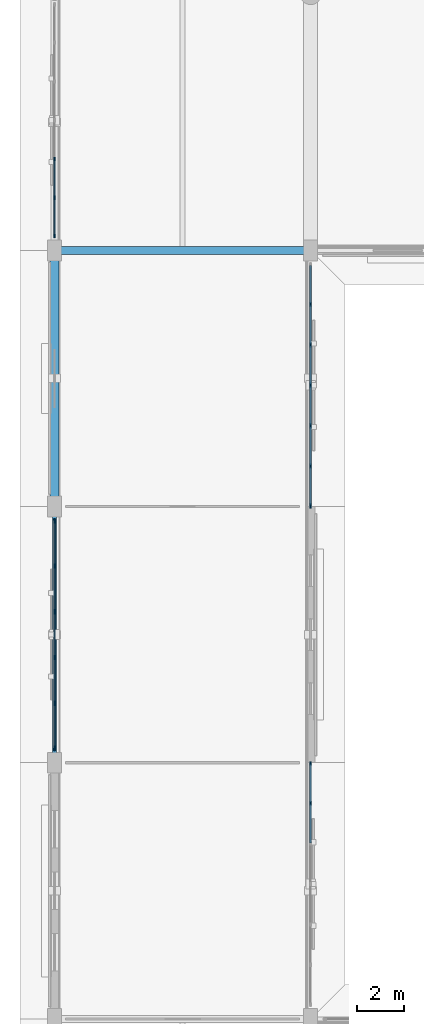
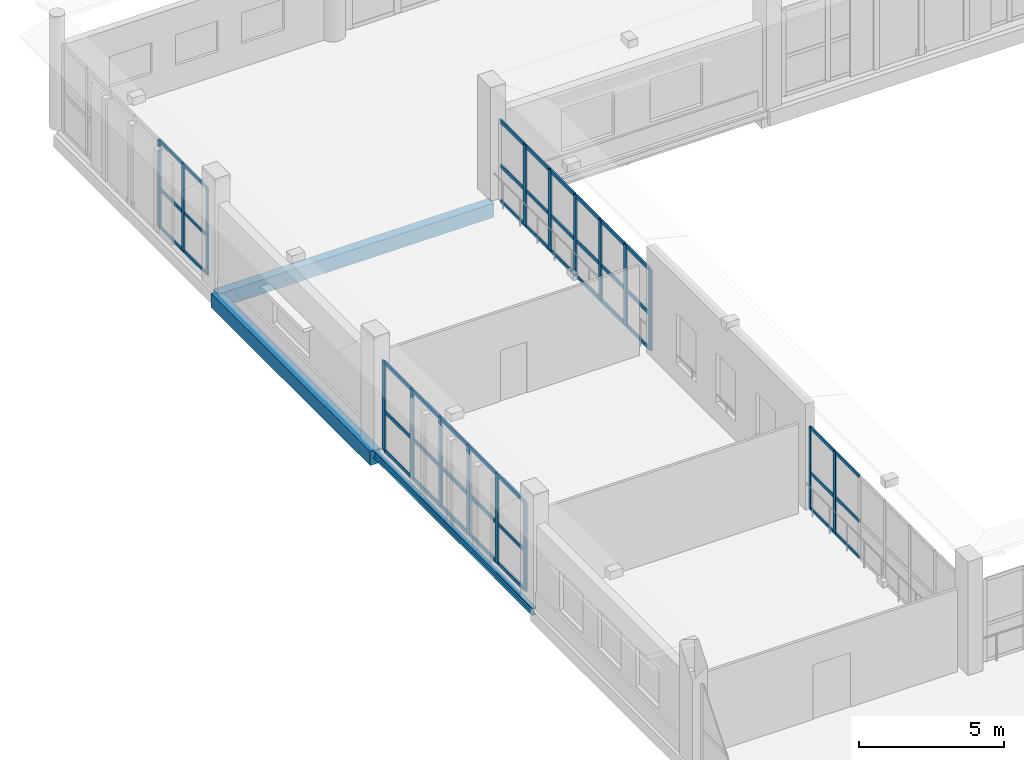
# One storey, part 38 of 143: 62 members, 3 beams, 4 elements without a shape of their own.
"""IFC4 building model written with IfcOpenShell, lengths in metres."""

import ifcopenshell
import ifcopenshell.guid

model = None  # the IFC model being written
_history = None  # IfcOwnerHistory: only IFC2X3 demands one
_inside = {}  # id of a spatial element -> (the spatial element, [elements in it])
_under = {}  # id of a project, library or spatial element -> (it, [spatial elements below it])
_declared = {}  # id of a project -> (the project, [libraries it declares])
_typed = {}  # id of a type object -> (the type object, [elements of that type])
_made_of = {}  # id of a material, layer set ... -> (it, [elements and type objects made of it])


def new_model(schema):
    """Start an empty IFC model of exactly this schema.

    Asked for "IFC4X3", IfcOpenShell would pick the latest addendum, in which some entities
    have other attributes; the version numbers below select the first issue.
    IFC2X3 requires an IfcOwnerHistory on every rooted entity: one is made here for all.
    """
    global model, _history
    if schema == "IFC4X3":
        model = ifcopenshell.file(schema_version=(4, 3, 0, 0))
    else:
        model = ifcopenshell.file(schema=schema)
    _inside.clear()
    _under.clear()
    _declared.clear()
    _typed.clear()
    _made_of.clear()
    _history = None
    if model.schema == "IFC2X3":
        org = make("IfcOrganization", Name="unknown")
        user = make(
            "IfcPersonAndOrganization",
            ThePerson=make("IfcPerson", FamilyName="unknown"),
            TheOrganization=org,
        )
        app = make(
            "IfcApplication",
            ApplicationDeveloper=org,
            Version="unknown",
            ApplicationFullName="unknown",
            ApplicationIdentifier="unknown",
        )
        _history = make(
            "IfcOwnerHistory",
            OwningUser=user,
            OwningApplication=app,
            ChangeAction="ADDED",
            CreationDate=0,
        )
    return model


def make(cls, **values):
    """One entity of the class cls with the attributes given. An attribute that is None is left unset."""
    return model.create_entity(
        cls, **{name: value for name, value in values.items() if value is not None}
    )


def rooted(cls, **values):
    """An entity with a GlobalId (a new one), such as an element, a storey or a relation."""
    return make(cls, GlobalId=ifcopenshell.guid.new(), OwnerHistory=_history, **values)


def si_unit(unit_type, name, prefix=None):
    """IfcSIUnit, for example si_unit("LENGTHUNIT", "METRE", prefix="MILLI")."""
    return make("IfcSIUnit", UnitType=unit_type, Prefix=prefix, Name=name)


def assignment(units):
    """IfcUnitAssignment: the units of a project."""
    return None if units is None else make("IfcUnitAssignment", Units=units)


def point(xyz):
    """IfcCartesianPoint."""
    return None if xyz is None else make("IfcCartesianPoint", Coordinates=xyz)


def direction(xyz):
    """IfcDirection."""
    return None if xyz is None else make("IfcDirection", DirectionRatios=xyz)


def frame(location, z_axis=None, x_axis=None):
    """IfcAxis2Placement3D, a coordinate frame: its origin and axes. An axis left out is left unset."""
    return make(
        "IfcAxis2Placement3D",
        Location=point(location),
        Axis=direction(z_axis),
        RefDirection=direction(x_axis),
    )


def frame_2d(location, x_axis=None):
    """IfcAxis2Placement2D, a coordinate frame in the plane: its origin and x axis."""
    return make(
        "IfcAxis2Placement2D", Location=point(location), RefDirection=direction(x_axis)
    )


def origin():
    """The frame at (0, 0, 0) with its axes left unset."""
    return frame((0.0, 0.0, 0.0))


def origin_2d():
    """The frame at (0, 0) in the plane with its x axis left unset."""
    return frame_2d((0.0, 0.0))


def place(relative_to, where):
    """IfcLocalPlacement: puts the frame where relative to a parent placement (None: the world)."""
    return make(
        "IfcLocalPlacement", PlacementRelTo=relative_to, RelativePlacement=where
    )


def context(
    kind, dimensions, precision=None, world=None, true_north=None, identifier=None
):
    """IfcGeometricRepresentationContext, for example the 3D "Model" context."""
    return make(
        "IfcGeometricRepresentationContext",
        ContextIdentifier=identifier,
        ContextType=kind,
        CoordinateSpaceDimension=dimensions,
        Precision=precision,
        WorldCoordinateSystem=world,
        TrueNorth=true_north,
    )


def subcontext(parent, identifier, kind, view, scale=None):
    """IfcGeometricRepresentationSubContext, for example "Body" below "Model"."""
    return make(
        "IfcGeometricRepresentationSubContext",
        ContextIdentifier=identifier,
        ContextType=kind,
        ParentContext=parent,
        TargetScale=scale,
        TargetView=view,
    )


def project(units=None, contexts=None):
    """IfcProject with its units and contexts."""
    return rooted(
        "IfcProject",
        Name="project",
        RepresentationContexts=contexts,
        UnitsInContext=assignment(units),
    )


def spatial(cls, under=None, at=None, **own):
    """A site, building, storey or space (cls), placed at a placement, below another one or the project."""
    s = rooted(cls, ObjectPlacement=at, **own)
    if under is not None:
        _under.setdefault(under.id(), (under, []))[1].append(s)
    return s


def profile(cls, at=None, kind="AREA", **sizes):
    """A parametric profile (cls). Its sizes go by their IFC names, for example OverallWidth=200.0."""
    return make(cls, ProfileType=kind, Position=at, **sizes)


def rectangle(**sizes):
    """IfcRectangleProfileDef."""
    return profile("IfcRectangleProfileDef", **sizes)


def i_section(**sizes):
    """IfcIShapeProfileDef."""
    return profile("IfcIShapeProfileDef", **sizes)


def extrude(swept, where, along, depth):
    """IfcExtrudedAreaSolid: the profile swept, set in the frame where, extruded along a direction by depth."""
    return make(
        "IfcExtrudedAreaSolid",
        SweptArea=swept,
        Position=where,
        ExtrudedDirection=direction(along),
        Depth=depth,
    )


def shape(context_of_items, identifier, shape_type, items):
    """IfcShapeRepresentation: the items that make up one representation, for example the "Body"."""
    return make(
        "IfcShapeRepresentation",
        ContextOfItems=context_of_items,
        RepresentationIdentifier=identifier,
        RepresentationType=shape_type,
        Items=items,
    )


def material(Name=None, Category=None):
    """IfcMaterial."""
    return make("IfcMaterial", Name=Name, Category=Category)


def material_profile(
    of_material, cross_section, Name=None, Category=None, Priority=None
):
    """IfcMaterialProfile: a cross section and its material."""
    return make(
        "IfcMaterialProfile",
        Name=Name,
        Material=of_material,
        Profile=cross_section,
        Priority=Priority,
        Category=Category,
    )


def profile_set(profiles, Name=None, composite=None):
    """IfcMaterialProfileSet."""
    return make(
        "IfcMaterialProfileSet",
        Name=Name,
        MaterialProfiles=profiles,
        CompositeProfile=composite,
    )


def made_of(thing, what):
    """Note that an element or type object is made of a material, layer set ...; save() writes the relation."""
    if what is not None:
        _made_of.setdefault(what.id(), (what, []))[1].append(thing)
    return thing


def type_object(cls, material=None, **own):
    """A type object (cls), such as IfcWallType, which elements share."""
    return made_of(rooted(cls, **own), material)


def element(
    cls,
    number,
    at=None,
    inside=None,
    cuts=None,
    type_object=None,
    material=None,
    context=None,
    identifier="Body",
    shape_type=None,
    held_by="IfcProductDefinitionShape",
    body=None,
    shapes=None,
    **own,
):
    """One element of the class cls, such as IfcWall. Its Tag is "e" and its number.

    at: its placement. inside: the storey or other place that contains it. cuts: it is an
    opening in that element (IfcRelVoidsElement). A single representation is given by context,
    identifier, shape_type and body (its items); several are given by shapes. held_by: the class
    of the entity that holds the representations. save() writes the other relations.
    """
    e = rooted(cls, Tag="e%d" % number, ObjectPlacement=at, **own)
    if body is not None:
        shapes = [shape(context, identifier, shape_type, body)]
    if shapes is not None:
        e.Representation = make(held_by, Representations=shapes)
    if inside is not None:
        _inside.setdefault(inside.id(), (inside, []))[1].append(e)
    if cuts is not None:
        rooted(
            "IfcRelVoidsElement", RelatingBuildingElement=cuts, RelatedOpeningElement=e
        )
    if type_object is not None:
        _typed.setdefault(type_object.id(), (type_object, []))[1].append(e)
    return made_of(e, material)


def aggregate(whole, parts):
    """IfcRelAggregates: a whole, such as a stair, and the parts it consists of."""
    return rooted("IfcRelAggregates", RelatingObject=whole, RelatedObjects=parts)


def save(model, path):
    """Write the relations noted so far, then the file.

    IfcRelAggregates (storeys below a building ...), IfcRelContainedInSpatialStructure (elements
    in a storey), IfcRelDefinesByType, IfcRelAssociatesMaterial and IfcRelDeclares: one each for
    every whole, place, type object, material and project.
    """
    for whole, parts in _under.values():
        aggregate(whole, parts)
    for where, things in _inside.values():
        rooted(
            "IfcRelContainedInSpatialStructure",
            RelatedElements=things,
            RelatingStructure=where,
        )
    for kind, things in _typed.values():
        rooted("IfcRelDefinesByType", RelatedObjects=things, RelatingType=kind)
    for what, things in _made_of.values():
        rooted("IfcRelAssociatesMaterial", RelatedObjects=things, RelatingMaterial=what)
    for by, libraries in _declared.values():
        rooted("IfcRelDeclares", RelatingContext=by, RelatedDefinitions=libraries)
    model.write(path)


model = new_model("IFC4")

# Units and contexts
model_context = context("Model", 3, precision=1e-05, world=origin(), true_north=direction((0.0, 1.0)))
body_context = subcontext(model_context, "Body", "Model", "MODEL_VIEW")
ifc_project = project(units=[si_unit("LENGTHUNIT", "METRE"), si_unit("AREAUNIT", "SQUARE_METRE"), si_unit("VOLUMEUNIT", "CUBIC_METRE"), si_unit("PLANEANGLEUNIT", "RADIAN"), si_unit("MASSUNIT", "GRAM", prefix="KILO")], contexts=[model_context])

# Site, building, storey
site_placement = place(None, origin())
site = spatial("IfcSite", under=ifc_project, at=site_placement, CompositionType="ELEMENT")
building_placement = place(site_placement, origin())
building = spatial("IfcBuilding", under=site, at=building_placement, Name="Luwafu Chhajja Arena", CompositionType="ELEMENT")
storey_placement = place(building_placement, frame((0.0, 0.0, 5.39990234375)))
storey = spatial("IfcBuildingStorey", under=building, at=storey_placement, Name="L01", CompositionType="ELEMENT", Elevation=5.39990234375)

# Beam
ifc_material_1 = material(Name="Concrete C35/45", Category="concrete")
ifc_material_profile_1 = material_profile(ifc_material_1, rectangle(XDim=0.35009765625, YDim=0.60009765625, at=origin_2d()), Name="RC 350x600")
ifc_profile_set_1 = profile_set([ifc_material_profile_1], Name="Concrete C35/45")
beam_type_1 = type_object("IfcBeamType", Name="Arcade Tie Beam RC 350x600", PredefinedType="BEAM", material=ifc_profile_set_1)
beam_1_placement = place(storey_placement, frame((0.0, 88.0, -0.6298828125), z_axis=(1.0, 0.0, 0.0), x_axis=(0.0, 1.0, 0.0)))
element("IfcBeam", 1, at=beam_1_placement, inside=storey, type_object=beam_type_1, Name="L01 Grid Beam 1-2/J", PredefinedType="BEAM", context=body_context, shape_type="SweptSolid", body=[
    extrude(rectangle(XDim=0.35009765625, YDim=0.60009765625, at=origin_2d()), origin(), (0.0, 0.0, 1.0), 11.0),
])

# Curtain wall, members
ifc_material_2 = material(Name="Anodised bronze aluminium", Category="aluminium")
curtain_wall_type_1 = type_object("IfcCurtainWallType", Name="Charbagh Cloister Curtain Wall", PredefinedType="USERDEFINED", material=ifc_material_2)
curtain_wall_1_placement = place(storey_placement, origin())
curtain_wall_1 = element("IfcCurtainWall", 2, at=curtain_wall_1_placement, inside=storey, type_object=curtain_wall_type_1, Name="L01 Curtain Wall CWG-L01-V01_05", ObjectType="CURTAIN WALL", PredefinedType="USERDEFINED")
ifc_material_profile_2 = material_profile(ifc_material_2, rectangle(XDim=0.06005859375, YDim=0.159912109375, at=origin_2d()), Name="CWM 60x160")
ifc_profile_set_2 = profile_set([ifc_material_profile_2], Name="Anodised bronze aluminium")
member_type_1 = type_object("IfcMemberType", Name="Bronze Curtain Wall Mullion 60x160", PredefinedType="MULLION", material=ifc_profile_set_2)
member_1_placement = place(storey_placement, frame((11.0, 64.264892578125, 0.030029296875), z_axis=(0.0, 0.0, 1.0), x_axis=(-1.0, 0.0, 0.0)))
member_1 = element("IfcMember", 3, at=member_1_placement, type_object=member_type_1, Name="CW-06 mullion 6", PredefinedType="MULLION", context=body_context, shape_type="SweptSolid", body=[
    extrude(rectangle(XDim=0.06005859375, YDim=0.159912109375, at=origin_2d()), origin(), (0.0, 0.0, 1.0), 3.4599609375),
])
member_2_placement = place(storey_placement, frame((11.0, 65.969970703125, 0.030029296875), z_axis=(0.0, 0.0, 1.0), x_axis=(-1.0, 0.0, 0.0)))
member_2 = element("IfcMember", 4, at=member_2_placement, type_object=member_type_1, Name="CW-06 mullion 7", PredefinedType="MULLION", context=body_context, shape_type="SweptSolid", body=[
    extrude(rectangle(XDim=0.06005859375, YDim=0.159912109375, at=origin_2d()), origin(), (0.0, 0.0, 1.0), 3.4599609375),
])

curtain_wall_type_2 = type_object("IfcCurtainWallType", Name="Community Hall Street Curtain Wall", PredefinedType="USERDEFINED", material=ifc_material_2)
curtain_wall_2_placement = place(storey_placement, origin())
curtain_wall_2 = element("IfcCurtainWall", 5, at=curtain_wall_2_placement, inside=storey, type_object=curtain_wall_type_2, Name="L01 Curtain Wall CWG-L01-V00_08", ObjectType="CURTAIN WALL", PredefinedType="USERDEFINED")
member_3_placement = place(storey_placement, frame((0.0, 88.6201171875, 0.030029296875), z_axis=(0.0, 0.0, 1.0), x_axis=(-1.0, 0.0, 0.0)))
member_3 = element("IfcMember", 6, at=member_3_placement, type_object=member_type_1, Name="CW-09 mullion 1", PredefinedType="MULLION", context=body_context, shape_type="SweptSolid", body=[
    extrude(rectangle(XDim=0.06005859375, YDim=0.159912109375, at=origin_2d()), origin(), (0.0, 0.0, 1.0), 3.676513671875),
])
member_4_placement = place(storey_placement, frame((0.0, 90.255859375, 0.030029296875), z_axis=(0.0, 0.0, 1.0), x_axis=(-1.0, 0.0, 0.0)))
member_4 = element("IfcMember", 7, at=member_4_placement, type_object=member_type_1, Name="CW-09 mullion 2", PredefinedType="MULLION", context=body_context, shape_type="SweptSolid", body=[
    extrude(rectangle(XDim=0.06005859375, YDim=0.159912109375, at=origin_2d()), origin(), (0.0, 0.0, 1.0), 3.676513671875),
])
member_5_placement = place(storey_placement, frame((0.0, 91.921630859375, 0.030029296875), z_axis=(0.0, 0.0, 1.0), x_axis=(-1.0, 0.0, 0.0)))
member_5 = element("IfcMember", 8, at=member_5_placement, type_object=member_type_1, Name="CW-09 mullion 3", PredefinedType="MULLION", context=body_context, shape_type="SweptSolid", body=[
    extrude(rectangle(XDim=0.06005859375, YDim=0.159912109375, at=origin_2d()), origin(), (0.0, 0.0, 1.0), 3.676513671875),
])

curtain_wall_type_3 = type_object("IfcCurtainWallType", Name="Foyer Luwafu Street Curtain Wall", PredefinedType="USERDEFINED", material=ifc_material_2)
curtain_wall_3_placement = place(storey_placement, origin())
curtain_wall_3 = element("IfcCurtainWall", 9, at=curtain_wall_3_placement, inside=storey, type_object=curtain_wall_type_3, Name="L01 Curtain Wall CWG-L01-V00_06", ObjectType="CURTAIN WALL", PredefinedType="USERDEFINED")
ifc_material_profile_3 = material_profile(ifc_material_2, rectangle(XDim=0.06494140625, YDim=0.199951171875, at=origin_2d()), Name="CWM 65x200")
ifc_profile_set_3 = profile_set([ifc_material_profile_3], Name="Anodised bronze aluminium")
member_type_2 = type_object("IfcMemberType", Name="Bronze Curtain Wall Mullion 65x200", PredefinedType="MULLION", material=ifc_profile_set_3)
member_6_placement = place(storey_placement, frame((0.0, 66.62255859375, 0.030029296875), z_axis=(0.0, 0.0, 1.0), x_axis=(-1.0, 0.0, 0.0)))
member_6 = element("IfcMember", 10, at=member_6_placement, type_object=member_type_2, Name="CW-05 mullion 1", PredefinedType="MULLION", context=body_context, shape_type="SweptSolid", body=[
    extrude(rectangle(XDim=0.06494140625, YDim=0.199951171875, at=origin_2d()), origin(), (0.0, 0.0, 1.0), 3.760009765625),
])
member_7_placement = place(storey_placement, frame((0.0, 68.553955078125, 0.030029296875), z_axis=(0.0, 0.0, 1.0), x_axis=(-1.0, 0.0, 0.0)))
member_7 = element("IfcMember", 11, at=member_7_placement, type_object=member_type_2, Name="CW-05 mullion 2", PredefinedType="MULLION", context=body_context, shape_type="SweptSolid", body=[
    extrude(rectangle(XDim=0.06494140625, YDim=0.199951171875, at=origin_2d()), origin(), (0.0, 0.0, 1.0), 3.760009765625),
])
member_8_placement = place(storey_placement, frame((0.0, 70.51806640625, 0.030029296875), z_axis=(0.0, 0.0, 1.0), x_axis=(-1.0, 0.0, 0.0)))
member_8 = element("IfcMember", 12, at=member_8_placement, type_object=member_type_2, Name="CW-05 mullion 3", PredefinedType="MULLION", context=body_context, shape_type="SweptSolid", body=[
    extrude(rectangle(XDim=0.06494140625, YDim=0.199951171875, at=origin_2d()), origin(), (0.0, 0.0, 1.0), 3.760009765625),
])
member_9_placement = place(storey_placement, frame((0.0, 72.48193359375, 0.030029296875), z_axis=(0.0, 0.0, 1.0), x_axis=(-1.0, 0.0, 0.0)))
member_9 = element("IfcMember", 13, at=member_9_placement, type_object=member_type_2, Name="CW-05 mullion 4", PredefinedType="MULLION", context=body_context, shape_type="SweptSolid", body=[
    extrude(rectangle(XDim=0.06494140625, YDim=0.199951171875, at=origin_2d()), origin(), (0.0, 0.0, 1.0), 3.760009765625),
])
member_10_placement = place(storey_placement, frame((0.0, 74.446044921875, 0.030029296875), z_axis=(0.0, 0.0, 1.0), x_axis=(-1.0, 0.0, 0.0)))
member_10 = element("IfcMember", 14, at=member_10_placement, type_object=member_type_2, Name="CW-05 mullion 5", PredefinedType="MULLION", context=body_context, shape_type="SweptSolid", body=[
    extrude(rectangle(XDim=0.06494140625, YDim=0.199951171875, at=origin_2d()), origin(), (0.0, 0.0, 1.0), 3.760009765625),
])
member_11_placement = place(storey_placement, frame((0.0, 76.37744140625, 0.030029296875), z_axis=(0.0, 0.0, 1.0), x_axis=(-1.0, 0.0, 0.0)))
member_11 = element("IfcMember", 15, at=member_11_placement, type_object=member_type_2, Name="CW-05 mullion 6", PredefinedType="MULLION", context=body_context, shape_type="SweptSolid", body=[
    extrude(rectangle(XDim=0.06494140625, YDim=0.199951171875, at=origin_2d()), origin(), (0.0, 0.0, 1.0), 3.760009765625),
])

curtain_wall_type_4 = type_object("IfcCurtainWallType", Name="VIP Club Terrace Curtain Wall", PredefinedType="USERDEFINED", material=ifc_material_2)
curtain_wall_4_placement = place(storey_placement, origin())
curtain_wall_4 = element("IfcCurtainWall", 16, at=curtain_wall_4_placement, inside=storey, type_object=curtain_wall_type_4, Name="L01 Curtain Wall CWG-L01-V01_07", ObjectType="CURTAIN WALL", PredefinedType="USERDEFINED")
member_12_placement = place(storey_placement, frame((11.0, 77.032470703125, 0.030029296875), z_axis=(0.0, 0.0, 1.0), x_axis=(-1.0, 0.0, 0.0)))
member_12 = element("IfcMember", 17, at=member_12_placement, type_object=member_type_2, Name="CW-10 mullion 1", PredefinedType="MULLION", context=body_context, shape_type="SweptSolid", body=[
    extrude(rectangle(XDim=0.06494140625, YDim=0.199951171875, at=origin_2d()), origin(), (0.0, 0.0, 1.0), 3.41015625),
])
member_13_placement = place(storey_placement, frame((11.0, 78.735107421875, 0.030029296875), z_axis=(0.0, 0.0, 1.0), x_axis=(-1.0, 0.0, 0.0)))
member_13 = element("IfcMember", 18, at=member_13_placement, type_object=member_type_2, Name="CW-10 mullion 2", PredefinedType="MULLION", context=body_context, shape_type="SweptSolid", body=[
    extrude(rectangle(XDim=0.06494140625, YDim=0.199951171875, at=origin_2d()), origin(), (0.0, 0.0, 1.0), 3.41015625),
])
member_14_placement = place(storey_placement, frame((11.0, 80.469970703125, 0.030029296875), z_axis=(0.0, 0.0, 1.0), x_axis=(-1.0, 0.0, 0.0)))
member_14 = element("IfcMember", 19, at=member_14_placement, type_object=member_type_2, Name="CW-10 mullion 3", PredefinedType="MULLION", context=body_context, shape_type="SweptSolid", body=[
    extrude(rectangle(XDim=0.06494140625, YDim=0.199951171875, at=origin_2d()), origin(), (0.0, 0.0, 1.0), 3.41015625),
])
member_15_placement = place(storey_placement, frame((11.0, 82.205078125, 0.030029296875), z_axis=(0.0, 0.0, 1.0), x_axis=(-1.0, 0.0, 0.0)))
member_15 = element("IfcMember", 20, at=member_15_placement, type_object=member_type_2, Name="CW-10 mullion 4", PredefinedType="MULLION", context=body_context, shape_type="SweptSolid", body=[
    extrude(rectangle(XDim=0.06494140625, YDim=0.199951171875, at=origin_2d()), origin(), (0.0, 0.0, 1.0), 3.41015625),
])
member_16_placement = place(storey_placement, frame((11.0, 83.93994140625, 0.030029296875), z_axis=(0.0, 0.0, 1.0), x_axis=(-1.0, 0.0, 0.0)))
member_16 = element("IfcMember", 21, at=member_16_placement, type_object=member_type_2, Name="CW-10 mullion 5", PredefinedType="MULLION", context=body_context, shape_type="SweptSolid", body=[
    extrude(rectangle(XDim=0.06494140625, YDim=0.199951171875, at=origin_2d()), origin(), (0.0, 0.0, 1.0), 3.41015625),
])
member_17_placement = place(storey_placement, frame((11.0, 85.675048828125, 0.030029296875), z_axis=(0.0, 0.0, 1.0), x_axis=(-1.0, 0.0, 0.0)))
member_17 = element("IfcMember", 22, at=member_17_placement, type_object=member_type_2, Name="CW-10 mullion 6", PredefinedType="MULLION", context=body_context, shape_type="SweptSolid", body=[
    extrude(rectangle(XDim=0.06494140625, YDim=0.199951171875, at=origin_2d()), origin(), (0.0, 0.0, 1.0), 3.41015625),
])

# Member
ifc_material_profile_4 = material_profile(ifc_material_2, rectangle(XDim=0.06005859375, YDim=0.1298828125, at=origin_2d()), Name="CWT 60x130")
ifc_profile_set_4 = profile_set([ifc_material_profile_4], Name="Anodised bronze aluminium")
member_type_3 = type_object("IfcMemberType", Name="Bronze Curtain Wall Transom 60x130", PredefinedType="USERDEFINED", material=ifc_profile_set_4)
member_18_placement = place(storey_placement, frame((11.0, 62.56005859375, 0.06005859375), z_axis=(0.0, 1.0, 0.0), x_axis=(-1.0, 0.0, 0.0)))
member_18 = element("IfcMember", 23, at=member_18_placement, type_object=member_type_3, Name="CW-06 transom 5.1", ObjectType="TRANSOM", PredefinedType="USERDEFINED", context=body_context, shape_type="SweptSolid", body=[
    extrude(rectangle(XDim=0.06005859375, YDim=0.1298828125, at=origin_2d()), origin(), (0.0, 0.0, 1.0), 1.675048828125),
])

member_19_placement = place(storey_placement, frame((11.0, 62.56005859375, 1.570556640625), z_axis=(0.0, 1.0, 0.0), x_axis=(-1.0, 0.0, 0.0)))
member_19 = element("IfcMember", 24, at=member_19_placement, type_object=member_type_3, Name="CW-06 transom 5.2", ObjectType="TRANSOM", PredefinedType="USERDEFINED", context=body_context, shape_type="SweptSolid", body=[
    extrude(rectangle(XDim=0.06005859375, YDim=0.1298828125, at=origin_2d()), origin(), (0.0, 0.0, 1.0), 1.675048828125),
])

member_20_placement = place(storey_placement, frame((11.0, 62.56005859375, 3.460205078125), z_axis=(0.0, 1.0, 0.0), x_axis=(-1.0, 0.0, 0.0)))
member_20 = element("IfcMember", 25, at=member_20_placement, type_object=member_type_3, Name="CW-06 transom 5.3", ObjectType="TRANSOM", PredefinedType="USERDEFINED", context=body_context, shape_type="SweptSolid", body=[
    extrude(rectangle(XDim=0.06005859375, YDim=0.1298828125, at=origin_2d()), origin(), (0.0, 0.0, 1.0), 1.675048828125),
])

member_21_placement = place(storey_placement, frame((11.0, 64.294921875, 0.06005859375), z_axis=(0.0, 1.0, 0.0), x_axis=(-1.0, 0.0, 0.0)))
member_21 = element("IfcMember", 26, at=member_21_placement, type_object=member_type_3, Name="CW-06 transom 6.1", ObjectType="TRANSOM", PredefinedType="USERDEFINED", context=body_context, shape_type="SweptSolid", body=[
    extrude(rectangle(XDim=0.06005859375, YDim=0.1298828125, at=origin_2d()), origin(), (0.0, 0.0, 1.0), 1.64501953125),
])

member_22_placement = place(storey_placement, frame((11.0, 64.294921875, 1.570556640625), z_axis=(0.0, 1.0, 0.0), x_axis=(-1.0, 0.0, 0.0)))
member_22 = element("IfcMember", 27, at=member_22_placement, type_object=member_type_3, Name="CW-06 transom 6.2", ObjectType="TRANSOM", PredefinedType="USERDEFINED", context=body_context, shape_type="SweptSolid", body=[
    extrude(rectangle(XDim=0.06005859375, YDim=0.1298828125, at=origin_2d()), origin(), (0.0, 0.0, 1.0), 1.64501953125),
])

member_23_placement = place(storey_placement, frame((11.0, 64.294921875, 3.460205078125), z_axis=(0.0, 1.0, 0.0), x_axis=(-1.0, 0.0, 0.0)))
member_23 = element("IfcMember", 28, at=member_23_placement, type_object=member_type_3, Name="CW-06 transom 6.3", ObjectType="TRANSOM", PredefinedType="USERDEFINED", context=body_context, shape_type="SweptSolid", body=[
    extrude(rectangle(XDim=0.06005859375, YDim=0.1298828125, at=origin_2d()), origin(), (0.0, 0.0, 1.0), 1.64501953125),
])

aggregate(curtain_wall_1, [member_1, member_2, member_18, member_19, member_20, member_21, member_22, member_23])

member_24_placement = place(storey_placement, frame((0.0, 88.64990234375, 0.06005859375), z_axis=(0.0, 1.0, 0.0), x_axis=(-1.0, 0.0, 0.0)))
member_24 = element("IfcMember", 29, at=member_24_placement, type_object=member_type_3, Name="CW-09 transom 1.1", ObjectType="TRANSOM", PredefinedType="USERDEFINED", context=body_context, shape_type="SweptSolid", body=[
    extrude(rectangle(XDim=0.06005859375, YDim=0.1298828125, at=origin_2d()), origin(), (0.0, 0.0, 1.0), 1.575927734375),
])

member_25_placement = place(storey_placement, frame((0.0, 88.64990234375, 1.66796875), z_axis=(0.0, 1.0, 0.0), x_axis=(-1.0, 0.0, 0.0)))
member_25 = element("IfcMember", 30, at=member_25_placement, type_object=member_type_3, Name="CW-09 transom 1.2", ObjectType="TRANSOM", PredefinedType="USERDEFINED", context=body_context, shape_type="SweptSolid", body=[
    extrude(rectangle(XDim=0.06005859375, YDim=0.1298828125, at=origin_2d()), origin(), (0.0, 0.0, 1.0), 1.575927734375),
])

member_26_placement = place(storey_placement, frame((0.0, 88.64990234375, 3.676513671875), z_axis=(0.0, 1.0, 0.0), x_axis=(-1.0, 0.0, 0.0)))
member_26 = element("IfcMember", 31, at=member_26_placement, type_object=member_type_3, Name="CW-09 transom 1.3", ObjectType="TRANSOM", PredefinedType="USERDEFINED", context=body_context, shape_type="SweptSolid", body=[
    extrude(rectangle(XDim=0.06005859375, YDim=0.1298828125, at=origin_2d()), origin(), (0.0, 0.0, 1.0), 1.575927734375),
])

member_27_placement = place(storey_placement, frame((0.0, 90.285888671875, 0.06005859375), z_axis=(0.0, 1.0, 0.0), x_axis=(-1.0, 0.0, 0.0)))
member_27 = element("IfcMember", 32, at=member_27_placement, type_object=member_type_3, Name="CW-09 transom 2.1", ObjectType="TRANSOM", PredefinedType="USERDEFINED", context=body_context, shape_type="SweptSolid", body=[
    extrude(rectangle(XDim=0.06005859375, YDim=0.1298828125, at=origin_2d()), origin(), (0.0, 0.0, 1.0), 1.605712890625),
])

member_28_placement = place(storey_placement, frame((0.0, 90.285888671875, 1.66796875), z_axis=(0.0, 1.0, 0.0), x_axis=(-1.0, 0.0, 0.0)))
member_28 = element("IfcMember", 33, at=member_28_placement, type_object=member_type_3, Name="CW-09 transom 2.2", ObjectType="TRANSOM", PredefinedType="USERDEFINED", context=body_context, shape_type="SweptSolid", body=[
    extrude(rectangle(XDim=0.06005859375, YDim=0.1298828125, at=origin_2d()), origin(), (0.0, 0.0, 1.0), 1.605712890625),
])

member_29_placement = place(storey_placement, frame((0.0, 90.285888671875, 3.676513671875), z_axis=(0.0, 1.0, 0.0), x_axis=(-1.0, 0.0, 0.0)))
member_29 = element("IfcMember", 34, at=member_29_placement, type_object=member_type_3, Name="CW-09 transom 2.3", ObjectType="TRANSOM", PredefinedType="USERDEFINED", context=body_context, shape_type="SweptSolid", body=[
    extrude(rectangle(XDim=0.06005859375, YDim=0.1298828125, at=origin_2d()), origin(), (0.0, 0.0, 1.0), 1.605712890625),
])

aggregate(curtain_wall_2, [member_3, member_4, member_5, member_24, member_25, member_26, member_27, member_28, member_29])

ifc_material_profile_5 = material_profile(ifc_material_2, rectangle(XDim=0.06494140625, YDim=0.14990234375, at=origin_2d()), Name="CWT 65x150")
ifc_profile_set_5 = profile_set([ifc_material_profile_5], Name="Anodised bronze aluminium")
member_type_4 = type_object("IfcMemberType", Name="Bronze Curtain Wall Transom 65x150", PredefinedType="USERDEFINED", material=ifc_profile_set_5)
member_30_placement = place(storey_placement, frame((0.0, 66.655029296875, 0.0625), z_axis=(0.0, 1.0, 0.0), x_axis=(-1.0, 0.0, 0.0)))
member_30 = element("IfcMember", 35, at=member_30_placement, type_object=member_type_4, Name="CW-05 transom 1.1", ObjectType="TRANSOM", PredefinedType="USERDEFINED", context=body_context, shape_type="SweptSolid", body=[
    extrude(rectangle(XDim=0.06494140625, YDim=0.14990234375, at=origin_2d()), origin(), (0.0, 0.0, 1.0), 1.866455078125),
])

member_31_placement = place(storey_placement, frame((0.0, 66.655029296875, 1.70556640625), z_axis=(0.0, 1.0, 0.0), x_axis=(-1.0, 0.0, 0.0)))
member_31 = element("IfcMember", 36, at=member_31_placement, type_object=member_type_4, Name="CW-05 transom 1.2", ObjectType="TRANSOM", PredefinedType="USERDEFINED", context=body_context, shape_type="SweptSolid", body=[
    extrude(rectangle(XDim=0.06494140625, YDim=0.14990234375, at=origin_2d()), origin(), (0.0, 0.0, 1.0), 1.866455078125),
])

member_32_placement = place(storey_placement, frame((0.0, 66.655029296875, 3.757568359375), z_axis=(0.0, 1.0, 0.0), x_axis=(-1.0, 0.0, 0.0)))
member_32 = element("IfcMember", 37, at=member_32_placement, type_object=member_type_4, Name="CW-05 transom 1.3", ObjectType="TRANSOM", PredefinedType="USERDEFINED", context=body_context, shape_type="SweptSolid", body=[
    extrude(rectangle(XDim=0.06494140625, YDim=0.14990234375, at=origin_2d()), origin(), (0.0, 0.0, 1.0), 1.866455078125),
])

member_33_placement = place(storey_placement, frame((0.0, 68.58642578125, 0.0625), z_axis=(0.0, 1.0, 0.0), x_axis=(-1.0, 0.0, 0.0)))
member_33 = element("IfcMember", 38, at=member_33_placement, type_object=member_type_4, Name="CW-05 transom 2.1", ObjectType="TRANSOM", PredefinedType="USERDEFINED", context=body_context, shape_type="SweptSolid", body=[
    extrude(rectangle(XDim=0.06494140625, YDim=0.14990234375, at=origin_2d()), origin(), (0.0, 0.0, 1.0), 1.899169921875),
])

member_34_placement = place(storey_placement, frame((0.0, 68.58642578125, 1.70556640625), z_axis=(0.0, 1.0, 0.0), x_axis=(-1.0, 0.0, 0.0)))
member_34 = element("IfcMember", 39, at=member_34_placement, type_object=member_type_4, Name="CW-05 transom 2.2", ObjectType="TRANSOM", PredefinedType="USERDEFINED", context=body_context, shape_type="SweptSolid", body=[
    extrude(rectangle(XDim=0.06494140625, YDim=0.14990234375, at=origin_2d()), origin(), (0.0, 0.0, 1.0), 1.899169921875),
])

member_35_placement = place(storey_placement, frame((0.0, 68.58642578125, 3.757568359375), z_axis=(0.0, 1.0, 0.0), x_axis=(-1.0, 0.0, 0.0)))
member_35 = element("IfcMember", 40, at=member_35_placement, type_object=member_type_4, Name="CW-05 transom 2.3", ObjectType="TRANSOM", PredefinedType="USERDEFINED", context=body_context, shape_type="SweptSolid", body=[
    extrude(rectangle(XDim=0.06494140625, YDim=0.14990234375, at=origin_2d()), origin(), (0.0, 0.0, 1.0), 1.899169921875),
])

member_36_placement = place(storey_placement, frame((0.0, 70.550537109375, 0.0625), z_axis=(0.0, 1.0, 0.0), x_axis=(-1.0, 0.0, 0.0)))
member_36 = element("IfcMember", 41, at=member_36_placement, type_object=member_type_4, Name="CW-05 transom 3.1", ObjectType="TRANSOM", PredefinedType="USERDEFINED", context=body_context, shape_type="SweptSolid", body=[
    extrude(rectangle(XDim=0.06494140625, YDim=0.14990234375, at=origin_2d()), origin(), (0.0, 0.0, 1.0), 1.89892578125),
])

member_37_placement = place(storey_placement, frame((0.0, 70.550537109375, 1.70556640625), z_axis=(0.0, 1.0, 0.0), x_axis=(-1.0, 0.0, 0.0)))
member_37 = element("IfcMember", 42, at=member_37_placement, type_object=member_type_4, Name="CW-05 transom 3.2", ObjectType="TRANSOM", PredefinedType="USERDEFINED", context=body_context, shape_type="SweptSolid", body=[
    extrude(rectangle(XDim=0.06494140625, YDim=0.14990234375, at=origin_2d()), origin(), (0.0, 0.0, 1.0), 1.89892578125),
])

member_38_placement = place(storey_placement, frame((0.0, 70.550537109375, 3.757568359375), z_axis=(0.0, 1.0, 0.0), x_axis=(-1.0, 0.0, 0.0)))
member_38 = element("IfcMember", 43, at=member_38_placement, type_object=member_type_4, Name="CW-05 transom 3.3", ObjectType="TRANSOM", PredefinedType="USERDEFINED", context=body_context, shape_type="SweptSolid", body=[
    extrude(rectangle(XDim=0.06494140625, YDim=0.14990234375, at=origin_2d()), origin(), (0.0, 0.0, 1.0), 1.89892578125),
])

member_39_placement = place(storey_placement, frame((0.0, 72.514404296875, 0.0625), z_axis=(0.0, 1.0, 0.0), x_axis=(-1.0, 0.0, 0.0)))
member_39 = element("IfcMember", 44, at=member_39_placement, type_object=member_type_4, Name="CW-05 transom 4.1", ObjectType="TRANSOM", PredefinedType="USERDEFINED", context=body_context, shape_type="SweptSolid", body=[
    extrude(rectangle(XDim=0.06494140625, YDim=0.14990234375, at=origin_2d()), origin(), (0.0, 0.0, 1.0), 1.899169921875),
])

member_40_placement = place(storey_placement, frame((0.0, 72.514404296875, 1.70556640625), z_axis=(0.0, 1.0, 0.0), x_axis=(-1.0, 0.0, 0.0)))
member_40 = element("IfcMember", 45, at=member_40_placement, type_object=member_type_4, Name="CW-05 transom 4.2", ObjectType="TRANSOM", PredefinedType="USERDEFINED", context=body_context, shape_type="SweptSolid", body=[
    extrude(rectangle(XDim=0.06494140625, YDim=0.14990234375, at=origin_2d()), origin(), (0.0, 0.0, 1.0), 1.899169921875),
])

member_41_placement = place(storey_placement, frame((0.0, 72.514404296875, 3.757568359375), z_axis=(0.0, 1.0, 0.0), x_axis=(-1.0, 0.0, 0.0)))
member_41 = element("IfcMember", 46, at=member_41_placement, type_object=member_type_4, Name="CW-05 transom 4.3", ObjectType="TRANSOM", PredefinedType="USERDEFINED", context=body_context, shape_type="SweptSolid", body=[
    extrude(rectangle(XDim=0.06494140625, YDim=0.14990234375, at=origin_2d()), origin(), (0.0, 0.0, 1.0), 1.899169921875),
])

member_42_placement = place(storey_placement, frame((0.0, 74.478515625, 0.0625), z_axis=(0.0, 1.0, 0.0), x_axis=(-1.0, 0.0, 0.0)))
member_42 = element("IfcMember", 47, at=member_42_placement, type_object=member_type_4, Name="CW-05 transom 5.1", ObjectType="TRANSOM", PredefinedType="USERDEFINED", context=body_context, shape_type="SweptSolid", body=[
    extrude(rectangle(XDim=0.06494140625, YDim=0.14990234375, at=origin_2d()), origin(), (0.0, 0.0, 1.0), 1.866455078125),
])

member_43_placement = place(storey_placement, frame((0.0, 74.478515625, 1.70556640625), z_axis=(0.0, 1.0, 0.0), x_axis=(-1.0, 0.0, 0.0)))
member_43 = element("IfcMember", 48, at=member_43_placement, type_object=member_type_4, Name="CW-05 transom 5.2", ObjectType="TRANSOM", PredefinedType="USERDEFINED", context=body_context, shape_type="SweptSolid", body=[
    extrude(rectangle(XDim=0.06494140625, YDim=0.14990234375, at=origin_2d()), origin(), (0.0, 0.0, 1.0), 1.866455078125),
])

member_44_placement = place(storey_placement, frame((0.0, 74.478515625, 3.757568359375), z_axis=(0.0, 1.0, 0.0), x_axis=(-1.0, 0.0, 0.0)))
member_44 = element("IfcMember", 49, at=member_44_placement, type_object=member_type_4, Name="CW-05 transom 5.3", ObjectType="TRANSOM", PredefinedType="USERDEFINED", context=body_context, shape_type="SweptSolid", body=[
    extrude(rectangle(XDim=0.06494140625, YDim=0.14990234375, at=origin_2d()), origin(), (0.0, 0.0, 1.0), 1.866455078125),
])

aggregate(curtain_wall_3, [member_6, member_7, member_8, member_9, member_10, member_11, member_30, member_31, member_32, member_33, member_34, member_35, member_36, member_37, member_38, member_39, member_40, member_41, member_42, member_43, member_44])

member_45_placement = place(storey_placement, frame((11.0, 77.06494140625, 0.0625), z_axis=(0.0, 1.0, 0.0), x_axis=(-1.0, 0.0, 0.0)))
member_45 = element("IfcMember", 50, at=member_45_placement, type_object=member_type_4, Name="CW-10 transom 1.1", ObjectType="TRANSOM", PredefinedType="USERDEFINED", context=body_context, shape_type="SweptSolid", body=[
    extrude(rectangle(XDim=0.06494140625, YDim=0.14990234375, at=origin_2d()), origin(), (0.0, 0.0, 1.0), 1.637451171875),
])

member_46_placement = place(storey_placement, frame((11.0, 77.06494140625, 1.548095703125), z_axis=(0.0, 1.0, 0.0), x_axis=(-1.0, 0.0, 0.0)))
member_46 = element("IfcMember", 51, at=member_46_placement, type_object=member_type_4, Name="CW-10 transom 1.2", ObjectType="TRANSOM", PredefinedType="USERDEFINED", context=body_context, shape_type="SweptSolid", body=[
    extrude(rectangle(XDim=0.06494140625, YDim=0.14990234375, at=origin_2d()), origin(), (0.0, 0.0, 1.0), 1.637451171875),
])

member_47_placement = place(storey_placement, frame((11.0, 77.06494140625, 3.40771484375), z_axis=(0.0, 1.0, 0.0), x_axis=(-1.0, 0.0, 0.0)))
member_47 = element("IfcMember", 52, at=member_47_placement, type_object=member_type_4, Name="CW-10 transom 1.3", ObjectType="TRANSOM", PredefinedType="USERDEFINED", context=body_context, shape_type="SweptSolid", body=[
    extrude(rectangle(XDim=0.06494140625, YDim=0.14990234375, at=origin_2d()), origin(), (0.0, 0.0, 1.0), 1.637451171875),
])

member_48_placement = place(storey_placement, frame((11.0, 78.767578125, 0.0625), z_axis=(0.0, 1.0, 0.0), x_axis=(-1.0, 0.0, 0.0)))
member_48 = element("IfcMember", 53, at=member_48_placement, type_object=member_type_4, Name="CW-10 transom 2.1", ObjectType="TRANSOM", PredefinedType="USERDEFINED", context=body_context, shape_type="SweptSolid", body=[
    extrude(rectangle(XDim=0.06494140625, YDim=0.14990234375, at=origin_2d()), origin(), (0.0, 0.0, 1.0), 1.669921875),
])

member_49_placement = place(storey_placement, frame((11.0, 78.767578125, 1.548095703125), z_axis=(0.0, 1.0, 0.0), x_axis=(-1.0, 0.0, 0.0)))
member_49 = element("IfcMember", 54, at=member_49_placement, type_object=member_type_4, Name="CW-10 transom 2.2", ObjectType="TRANSOM", PredefinedType="USERDEFINED", context=body_context, shape_type="SweptSolid", body=[
    extrude(rectangle(XDim=0.06494140625, YDim=0.14990234375, at=origin_2d()), origin(), (0.0, 0.0, 1.0), 1.669921875),
])

member_50_placement = place(storey_placement, frame((11.0, 78.767578125, 3.40771484375), z_axis=(0.0, 1.0, 0.0), x_axis=(-1.0, 0.0, 0.0)))
member_50 = element("IfcMember", 55, at=member_50_placement, type_object=member_type_4, Name="CW-10 transom 2.3", ObjectType="TRANSOM", PredefinedType="USERDEFINED", context=body_context, shape_type="SweptSolid", body=[
    extrude(rectangle(XDim=0.06494140625, YDim=0.14990234375, at=origin_2d()), origin(), (0.0, 0.0, 1.0), 1.669921875),
])

member_51_placement = place(storey_placement, frame((11.0, 80.50244140625, 0.0625), z_axis=(0.0, 1.0, 0.0), x_axis=(-1.0, 0.0, 0.0)))
member_51 = element("IfcMember", 56, at=member_51_placement, type_object=member_type_4, Name="CW-10 transom 3.1", ObjectType="TRANSOM", PredefinedType="USERDEFINED", context=body_context, shape_type="SweptSolid", body=[
    extrude(rectangle(XDim=0.06494140625, YDim=0.14990234375, at=origin_2d()), origin(), (0.0, 0.0, 1.0), 1.670166015625),
])

member_52_placement = place(storey_placement, frame((11.0, 80.50244140625, 1.548095703125), z_axis=(0.0, 1.0, 0.0), x_axis=(-1.0, 0.0, 0.0)))
member_52 = element("IfcMember", 57, at=member_52_placement, type_object=member_type_4, Name="CW-10 transom 3.2", ObjectType="TRANSOM", PredefinedType="USERDEFINED", context=body_context, shape_type="SweptSolid", body=[
    extrude(rectangle(XDim=0.06494140625, YDim=0.14990234375, at=origin_2d()), origin(), (0.0, 0.0, 1.0), 1.670166015625),
])

member_53_placement = place(storey_placement, frame((11.0, 80.50244140625, 3.40771484375), z_axis=(0.0, 1.0, 0.0), x_axis=(-1.0, 0.0, 0.0)))
member_53 = element("IfcMember", 58, at=member_53_placement, type_object=member_type_4, Name="CW-10 transom 3.3", ObjectType="TRANSOM", PredefinedType="USERDEFINED", context=body_context, shape_type="SweptSolid", body=[
    extrude(rectangle(XDim=0.06494140625, YDim=0.14990234375, at=origin_2d()), origin(), (0.0, 0.0, 1.0), 1.670166015625),
])

member_54_placement = place(storey_placement, frame((11.0, 82.237548828125, 0.0625), z_axis=(0.0, 1.0, 0.0), x_axis=(-1.0, 0.0, 0.0)))
member_54 = element("IfcMember", 59, at=member_54_placement, type_object=member_type_4, Name="CW-10 transom 4.1", ObjectType="TRANSOM", PredefinedType="USERDEFINED", context=body_context, shape_type="SweptSolid", body=[
    extrude(rectangle(XDim=0.06494140625, YDim=0.14990234375, at=origin_2d()), origin(), (0.0, 0.0, 1.0), 1.669921875),
])

member_55_placement = place(storey_placement, frame((11.0, 82.237548828125, 1.548095703125), z_axis=(0.0, 1.0, 0.0), x_axis=(-1.0, 0.0, 0.0)))
member_55 = element("IfcMember", 60, at=member_55_placement, type_object=member_type_4, Name="CW-10 transom 4.2", ObjectType="TRANSOM", PredefinedType="USERDEFINED", context=body_context, shape_type="SweptSolid", body=[
    extrude(rectangle(XDim=0.06494140625, YDim=0.14990234375, at=origin_2d()), origin(), (0.0, 0.0, 1.0), 1.669921875),
])

member_56_placement = place(storey_placement, frame((11.0, 82.237548828125, 3.40771484375), z_axis=(0.0, 1.0, 0.0), x_axis=(-1.0, 0.0, 0.0)))
member_56 = element("IfcMember", 61, at=member_56_placement, type_object=member_type_4, Name="CW-10 transom 4.3", ObjectType="TRANSOM", PredefinedType="USERDEFINED", context=body_context, shape_type="SweptSolid", body=[
    extrude(rectangle(XDim=0.06494140625, YDim=0.14990234375, at=origin_2d()), origin(), (0.0, 0.0, 1.0), 1.669921875),
])

member_57_placement = place(storey_placement, frame((11.0, 83.972412109375, 0.0625), z_axis=(0.0, 1.0, 0.0), x_axis=(-1.0, 0.0, 0.0)))
member_57 = element("IfcMember", 62, at=member_57_placement, type_object=member_type_4, Name="CW-10 transom 5.1", ObjectType="TRANSOM", PredefinedType="USERDEFINED", context=body_context, shape_type="SweptSolid", body=[
    extrude(rectangle(XDim=0.06494140625, YDim=0.14990234375, at=origin_2d()), origin(), (0.0, 0.0, 1.0), 1.670166015625),
])

member_58_placement = place(storey_placement, frame((11.0, 83.972412109375, 1.548095703125), z_axis=(0.0, 1.0, 0.0), x_axis=(-1.0, 0.0, 0.0)))
member_58 = element("IfcMember", 63, at=member_58_placement, type_object=member_type_4, Name="CW-10 transom 5.2", ObjectType="TRANSOM", PredefinedType="USERDEFINED", context=body_context, shape_type="SweptSolid", body=[
    extrude(rectangle(XDim=0.06494140625, YDim=0.14990234375, at=origin_2d()), origin(), (0.0, 0.0, 1.0), 1.670166015625),
])

member_59_placement = place(storey_placement, frame((11.0, 83.972412109375, 3.40771484375), z_axis=(0.0, 1.0, 0.0), x_axis=(-1.0, 0.0, 0.0)))
member_59 = element("IfcMember", 64, at=member_59_placement, type_object=member_type_4, Name="CW-10 transom 5.3", ObjectType="TRANSOM", PredefinedType="USERDEFINED", context=body_context, shape_type="SweptSolid", body=[
    extrude(rectangle(XDim=0.06494140625, YDim=0.14990234375, at=origin_2d()), origin(), (0.0, 0.0, 1.0), 1.670166015625),
])

member_60_placement = place(storey_placement, frame((11.0, 85.70751953125, 0.0625), z_axis=(0.0, 1.0, 0.0), x_axis=(-1.0, 0.0, 0.0)))
member_60 = element("IfcMember", 65, at=member_60_placement, type_object=member_type_4, Name="CW-10 transom 6.1", ObjectType="TRANSOM", PredefinedType="USERDEFINED", context=body_context, shape_type="SweptSolid", body=[
    extrude(rectangle(XDim=0.06494140625, YDim=0.14990234375, at=origin_2d()), origin(), (0.0, 0.0, 1.0), 1.637451171875),
])

member_61_placement = place(storey_placement, frame((11.0, 85.70751953125, 1.548095703125), z_axis=(0.0, 1.0, 0.0), x_axis=(-1.0, 0.0, 0.0)))
member_61 = element("IfcMember", 66, at=member_61_placement, type_object=member_type_4, Name="CW-10 transom 6.2", ObjectType="TRANSOM", PredefinedType="USERDEFINED", context=body_context, shape_type="SweptSolid", body=[
    extrude(rectangle(XDim=0.06494140625, YDim=0.14990234375, at=origin_2d()), origin(), (0.0, 0.0, 1.0), 1.637451171875),
])

member_62_placement = place(storey_placement, frame((11.0, 85.70751953125, 3.40771484375), z_axis=(0.0, 1.0, 0.0), x_axis=(-1.0, 0.0, 0.0)))
member_62 = element("IfcMember", 67, at=member_62_placement, type_object=member_type_4, Name="CW-10 transom 6.3", ObjectType="TRANSOM", PredefinedType="USERDEFINED", context=body_context, shape_type="SweptSolid", body=[
    extrude(rectangle(XDim=0.06494140625, YDim=0.14990234375, at=origin_2d()), origin(), (0.0, 0.0, 1.0), 1.637451171875),
])

aggregate(curtain_wall_4, [member_12, member_13, member_14, member_15, member_16, member_17, member_45, member_46, member_47, member_48, member_49, member_50, member_51, member_52, member_53, member_54, member_55, member_56, member_57, member_58, member_59, member_60, member_61, member_62])

# Beams
ifc_material_3 = material(Name="Steel S355", Category="steel")
ifc_material_profile_6 = material_profile(ifc_material_3, i_section(OverallWidth=0.165771484375, OverallDepth=0.306640625, WebThickness=0.006591796875, FlangeThickness=0.01171875, at=origin_2d()), Name="UB 305x165x46")
ifc_profile_set_6 = profile_set([ifc_material_profile_6], Name="Steel S355")
beam_type_2 = type_object("IfcBeamType", Name="Concourse Edge Spandrel Beam UB 305x165x46", PredefinedType="SPANDREL", material=ifc_profile_set_6)
beam_2_placement = place(storey_placement, frame((0.0, 66.0, -0.483154296875), z_axis=(0.0, 1.0, 0.0), x_axis=(-1.0, 0.0, 0.0)))
element("IfcBeam", 68, at=beam_2_placement, inside=storey, type_object=beam_type_2, Name="L01 Grid Beam 1/G-H", PredefinedType="SPANDREL", context=body_context, shape_type="SweptSolid", body=[
    extrude(i_section(OverallWidth=0.165771484375, OverallDepth=0.306640625, WebThickness=0.006591796875, FlangeThickness=0.01171875, at=origin_2d()), origin(), (0.0, 0.0, 1.0), 11.0),
])
ifc_material_profile_7 = material_profile(ifc_material_1, rectangle(XDim=0.39990234375, YDim=0.60009765625, at=origin_2d()), Name="RC 400x600")
ifc_profile_set_7 = profile_set([ifc_material_profile_7], Name="Concrete C35/45")
beam_type_3 = type_object("IfcBeamType", Name="Podium Perimeter Spandrel RC 400x600", PredefinedType="SPANDREL", material=ifc_profile_set_7)
beam_3_placement = place(storey_placement, frame((0.0, 77.0, -0.6298828125), z_axis=(0.0, 1.0, 0.0), x_axis=(-1.0, 0.0, 0.0)))
element("IfcBeam", 69, at=beam_3_placement, inside=storey, type_object=beam_type_3, Name="L01 Grid Beam 1/H-J", PredefinedType="SPANDREL", context=body_context, shape_type="SweptSolid", body=[
    extrude(rectangle(XDim=0.39990234375, YDim=0.60009765625, at=origin_2d()), origin(), (0.0, 0.0, 1.0), 11.0),
])

save(model, "model.ifc")
